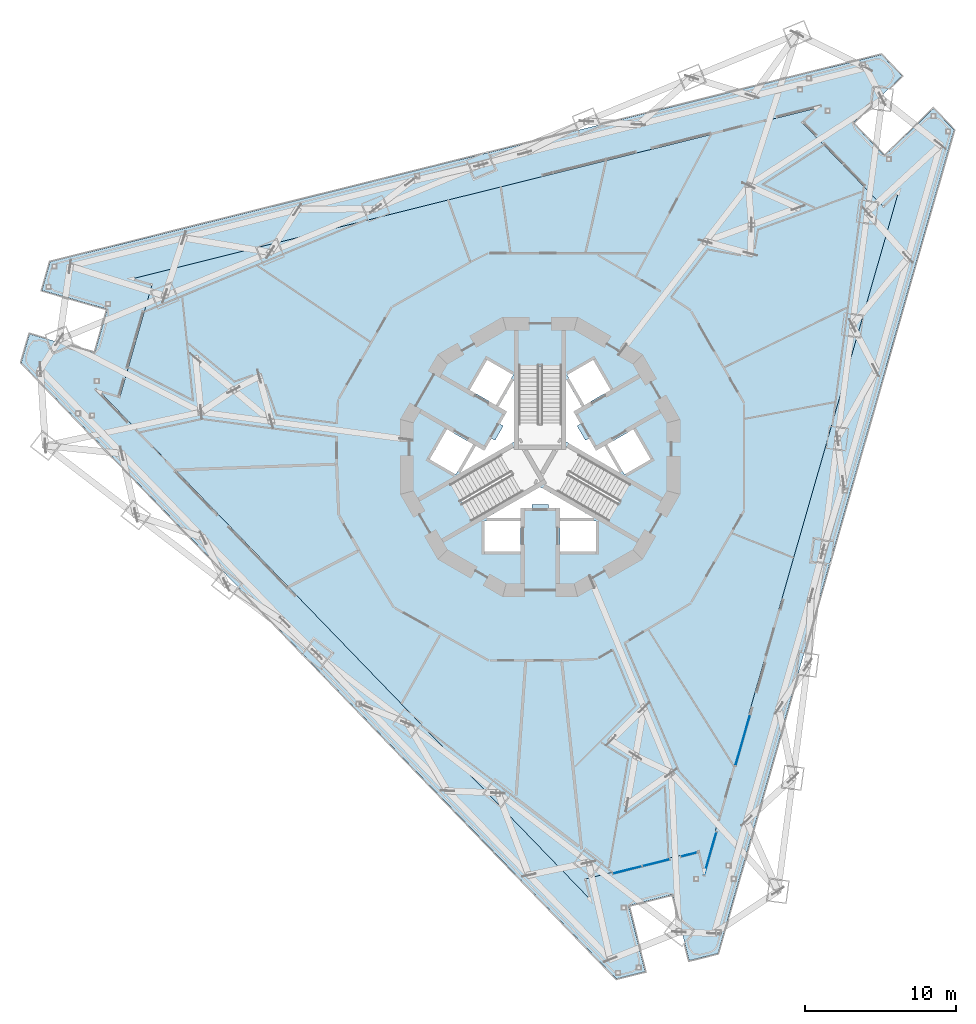
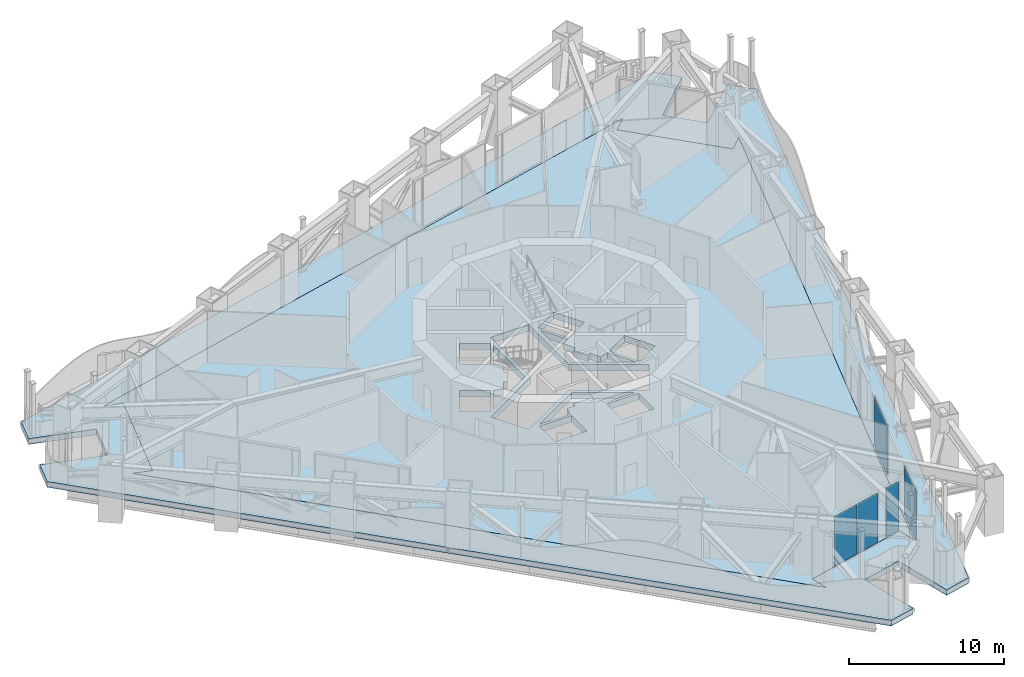
# One storey, part 8 of 26: 5 plates, 2 slabs, 4 elements without a shape of their own.
"""IFC4 building model written with IfcOpenShell, lengths in metres."""

from ifc_helpers import new_model, si_unit, direction, frame, origin, origin_2d, place, context, subcontext, project, spatial, polyline, rectangle, outline, extrude, material, layer, layer_set, type_object, element, aggregate, save


model = new_model("IFC4")

# Units and contexts
model_context = context("Model", 3, precision=1e-05, world=origin(), true_north=direction((0.0, 1.0)))
body_context = subcontext(model_context, "Body", "Model", "MODEL_VIEW")
ifc_project = project(units=[si_unit("LENGTHUNIT", "METRE"), si_unit("AREAUNIT", "SQUARE_METRE"), si_unit("VOLUMEUNIT", "CUBIC_METRE"), si_unit("PLANEANGLEUNIT", "RADIAN"), si_unit("MASSUNIT", "GRAM", prefix="KILO")], contexts=[model_context])

# Site, building, storey
site_placement = place(None, origin())
site = spatial("IfcSite", under=ifc_project, at=site_placement, CompositionType="ELEMENT")
building_placement = place(site_placement, origin())
building = spatial("IfcBuilding", under=site, at=building_placement, Name="Trine Commons Tower", CompositionType="ELEMENT")
storey_placement = place(building_placement, frame((0.0, 0.0, 119.699951171875)))
storey = spatial("IfcBuildingStorey", under=building, at=storey_placement, Name="L30", CompositionType="ELEMENT", Elevation=119.699951171875)

# Curtain wall, plate
ifc_material_1 = material(Name="Sky lounge glazing: anodised aluminium frame with low-emissivity double glazed unit, solar control", Category="aluminium")
ifc_layer_1 = layer(ifc_material_1, 0.179931640625)
ifc_layer_set_1 = layer_set([ifc_layer_1], Name="Sky lounge glazing: anodised aluminium frame with low-emissivity double glazed unit, solar control")
curtain_wall_type = type_object("IfcCurtainWallType", Name="Sky lounge glazing curtain wall CW5", PredefinedType="NOTDEFINED", material=ifc_layer_set_1)
curtain_wall_1_placement = place(storey_placement, origin())
curtain_wall_1 = element("IfcCurtainWall", 1, at=curtain_wall_1_placement, inside=storey, type_object=curtain_wall_type, Name="Sky lounge glazing L30 F2.3", PredefinedType="NOTDEFINED")
ifc_material_2 = material(Name="Low-emissivity double glazed unit, solar control")
ifc_layer_2 = layer(ifc_material_2, 0.031982421875)
ifc_layer_set_2 = layer_set([ifc_layer_2], Name="Low-emissivity double glazed unit, solar control")
plate_type = type_object("IfcPlateType", Name="Double glazed unit 32 mm (sky floors)", PredefinedType="CURTAIN_PANEL", material=ifc_layer_set_2)
plate_1_placement = place(storey_placement, frame((93.408203125, 43.743408203125, 0.10986328125), z_axis=(0.0, 0.0, 1.0), x_axis=(-0.275637355817, -0.961261695938, 0.0)))
plate_1 = element("IfcPlate", 2, at=plate_1_placement, type_object=plate_type, Name="CW5 panel 2.1", PredefinedType="CURTAIN_PANEL", context=body_context, shape_type="SweptSolid", body=[
    extrude(rectangle(XDim=3.4755859375, YDim=0.031982421875, at=origin_2d()), origin(), (0.0, 0.0, 1.0), 3.929931640625),
])
aggregate(curtain_wall_1, [plate_1])

curtain_wall_2_placement = place(storey_placement, origin())
curtain_wall_2 = element("IfcCurtainWall", 3, at=curtain_wall_2_placement, inside=storey, type_object=curtain_wall_type, Name="Sky lounge glazing L30 F2.4", PredefinedType="NOTDEFINED")
plate_2_placement = place(storey_placement, frame((91.256103515625, 36.238037109375, 0.10986328125), z_axis=(0.0, 0.0, 1.0), x_axis=(-0.275637355817, -0.961261695938, 0.0)))
plate_2 = element("IfcPlate", 4, at=plate_2_placement, type_object=plate_type, Name="CW5 panel 1.1", PredefinedType="CURTAIN_PANEL", context=body_context, shape_type="SweptSolid", body=[
    extrude(rectangle(XDim=2.958740234375, YDim=0.031982421875, at=origin_2d()), origin(), (0.0, 0.0, 1.0), 3.929931640625),
])
aggregate(curtain_wall_2, [plate_2])

curtain_wall_3_placement = place(storey_placement, origin())
curtain_wall_3 = element("IfcCurtainWall", 5, at=curtain_wall_3_placement, inside=storey, type_object=curtain_wall_type, Name="Sky lounge glazing L30 P3.1", PredefinedType="NOTDEFINED")
plate_3_placement = place(storey_placement, frame((89.848388671875, 36.172607421875, 0.10986328125), z_axis=(0.0, 0.0, 1.0), x_axis=(-0.970295726276, -0.2419218956, 0.0)))
plate_3 = element("IfcPlate", 6, at=plate_3_placement, type_object=plate_type, Name="CW5 panel 1.1", PredefinedType="CURTAIN_PANEL", context=body_context, shape_type="SweptSolid", body=[
    extrude(rectangle(XDim=1.07666015625, YDim=0.031982421875, at=origin_2d()), origin(), (0.0, 0.0, 1.0), 3.929931640625),
])
aggregate(curtain_wall_3, [plate_3])

# Curtain wall, plates
curtain_wall_4_placement = place(storey_placement, origin())
curtain_wall_4 = element("IfcCurtainWall", 7, at=curtain_wall_4_placement, inside=storey, type_object=curtain_wall_type, Name="Sky lounge glazing L30 P3.2", PredefinedType="NOTDEFINED")
plate_4_placement = place(storey_placement, frame((87.675537109375, 35.630859375, 0.10986328125), z_axis=(0.0, 0.0, 1.0), x_axis=(-0.970295726276, -0.2419218956, 0.0)))
plate_4 = element("IfcPlate", 8, at=plate_4_placement, type_object=plate_type, Name="CW5 panel 1.1", PredefinedType="CURTAIN_PANEL", context=body_context, shape_type="SweptSolid", body=[
    extrude(rectangle(XDim=1.819580078125, YDim=0.031982421875, at=origin_2d()), origin(), (0.0, 0.0, 1.0), 3.929931640625),
])
plate_5_placement = place(storey_placement, frame((85.772705078125, 35.156494140625, 0.10986328125), z_axis=(0.0, 0.0, 1.0), x_axis=(-0.970295726276, -0.2419218956, 0.0)))
plate_5 = element("IfcPlate", 9, at=plate_5_placement, type_object=plate_type, Name="CW5 panel 2.1", PredefinedType="CURTAIN_PANEL", context=body_context, shape_type="SweptSolid", body=[
    extrude(rectangle(XDim=1.952392578125, YDim=0.031982421875, at=origin_2d()), origin(), (0.0, 0.0, 1.0), 3.929931640625),
])
aggregate(curtain_wall_4, [plate_4, plate_5])

# Slabs
ifc_material_3 = material(Name="Concrete C50/60", Category="concrete")
ifc_layer_3 = layer(ifc_material_3, 0.449951171875)
ifc_layer_set_3 = layer_set([ifc_layer_3], Name="Concrete C50/60")
slab_type_1 = type_object("IfcSlabType", Name="Loggia slab 450 mm, C50/60", PredefinedType="FLOOR", material=ifc_layer_set_3)
slab_1_placement = place(storey_placement, frame((0.0, 0.0, -0.449951171875)))
element("IfcSlab", 10, at=slab_1_placement, inside=storey, type_object=slab_type_1, Name="Loggia slab L30", PredefinedType="FLOOR", context=body_context, shape_type="SweptSolid", body=[
    extrude(outline(polyline([(91.764892578125, 29.632080078125), (107.394775390625, 84.13916015625), (106.0302734375, 85.552001953125), (102.793212890625, 82.426025390625), (100.709228515625, 84.583984375), (103.9462890625, 87.7099609375), (102.581787109375, 89.122802734375), (47.562744140625, 75.405029296875), (47.021240234375, 73.516845703125), (51.346923828125, 72.276611328125), (50.52001953125, 69.392822265625), (46.1943359375, 70.63330078125), (45.653076171875, 68.7451171875), (85.04248046875, 27.9560546875), (86.948486328125, 28.43115234375), (85.85986328125, 32.797607421875), (88.7705078125, 33.523193359375), (89.859375, 29.156982421875), (91.764892578125, 29.632080078125)]), holes=[polyline([(83.27587890625, 33.240478515625), (82.950439453125, 34.545654296875), (90.518798828125, 36.4326171875), (90.843994140625, 35.12744140625), (103.701416015625, 79.966796875), (102.73388671875, 79.032470703125), (97.315673828125, 84.643310546875), (98.283203125, 85.577392578125), (53.022705078125, 74.292724609375), (54.3154296875, 73.922119140625), (52.16552734375, 66.42431640625), (50.872802734375, 66.794921875), (83.27587890625, 33.240478515625)])]), origin(), (0.0, 0.0, 1.0), 0.449951171875),
])
ifc_layer_4 = layer(ifc_material_3, 0.5)
ifc_layer_set_4 = layer_set([ifc_layer_4], Name="Concrete C50/60")
slab_type_2 = type_object("IfcSlabType", Name="Transfer floor slab 500 mm, C50/60", PredefinedType="FLOOR", material=ifc_layer_set_4)
slab_2_placement = place(storey_placement, frame((0.0, 0.0, -0.5)))
element("IfcSlab", 11, at=slab_2_placement, inside=storey, type_object=slab_type_2, Name="Floor slab L30", PredefinedType="FLOOR", context=body_context, shape_type="SweptSolid", body=[
    extrude(outline(polyline([(50.872802734375, 66.794921875), (83.27587890625, 33.240478515625), (82.950439453125, 34.545654296875), (90.518798828125, 36.4326171875), (90.843994140625, 35.12744140625), (103.701416015625, 79.966796875), (102.73388671875, 79.032470703125), (97.315673828125, 84.643310546875), (98.283203125, 85.577392578125), (53.022705078125, 74.292724609375), (54.3154296875, 73.922119140625), (52.16552734375, 66.42431640625), (50.872802734375, 66.794921875)]), holes=[polyline([(78.699951171875, 56.25), (78.699951171875, 58.25), (76.300048828125, 58.25), (76.300048828125, 56.25), (78.699951171875, 56.25)]), polyline([(80.0, 60.8544921875), (84.4755859375, 58.2705078125), (85.900390625, 60.73876953125), (81.425048828125, 63.32275390625), (81.425048828125, 68.490478515625), (78.574951171875, 68.490478515625), (78.574951171875, 63.32275390625), (74.099609375, 60.73876953125), (75.5244140625, 58.2705078125), (80.0, 60.8544921875)]), polyline([(73.83740234375, 64.325927734375), (72.687255859375, 62.333984375), (74.41943359375, 61.333984375), (75.5693359375, 63.325927734375), (73.83740234375, 64.325927734375)]), polyline([(76.381103515625, 63.031005859375), (75.742919921875, 63.22607421875), (74.7099609375, 61.43798828125), (78.27490234375, 63.49609375), (78.27490234375, 67.612060546875), (77.242919921875, 65.823974609375), (77.73095703125, 65.368896484375), (77.3310546875, 64.676025390625), (77.555908203125, 64.5458984375), (77.006103515625, 63.593994140625), (76.781005859375, 63.722900390625), (76.381103515625, 63.031005859375)]), polyline([(76.4873046875, 68.916015625), (75.33740234375, 66.924072265625), (77.0693359375, 65.924072265625), (78.219482421875, 67.916015625), (76.4873046875, 68.916015625)]), polyline([(83.699951171875, 56.25), (83.699951171875, 58.25), (81.300048828125, 58.25), (81.300048828125, 56.25), (83.699951171875, 56.25)]), polyline([(81.14990234375, 59.10009765625), (81.300048828125, 58.449951171875), (83.56494140625, 58.449951171875), (80.0, 60.508056640625), (76.43505859375, 58.449951171875), (78.699951171875, 58.449951171875), (78.85009765625, 59.10009765625), (79.449951171875, 59.10009765625), (79.449951171875, 59.360107421875), (80.550048828125, 59.360107421875), (80.550048828125, 59.10009765625), (81.14990234375, 59.10009765625)]), polyline([(86.16259765625, 64.325927734375), (84.4306640625, 63.325927734375), (85.58056640625, 61.333984375), (87.312744140625, 62.333984375), (86.16259765625, 64.325927734375)]), polyline([(83.243896484375, 63.738037109375), (82.993896484375, 63.593994140625), (82.444091796875, 64.5458984375), (82.72705078125, 64.7099609375), (82.281005859375, 65.549072265625), (82.757080078125, 65.823974609375), (81.72509765625, 67.612060546875), (81.72509765625, 63.49609375), (85.2900390625, 61.43798828125), (84.257080078125, 63.22607421875), (83.618896484375, 63.031005859375), (83.243896484375, 63.738037109375)]), polyline([(84.66259765625, 66.924072265625), (83.5126953125, 68.916015625), (81.780517578125, 67.916015625), (82.9306640625, 65.924072265625), (84.66259765625, 66.924072265625)])]), origin(), (0.0, 0.0, 1.0), 0.5),
])

save(model, "model.ifc")
